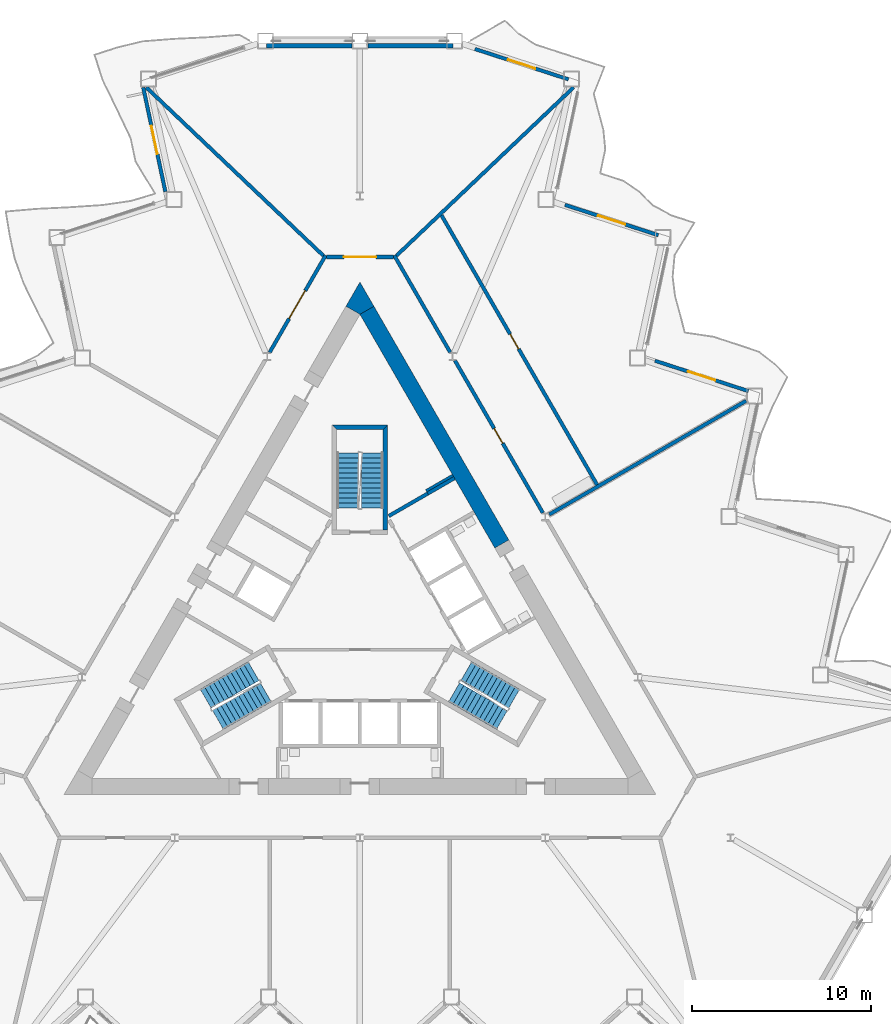
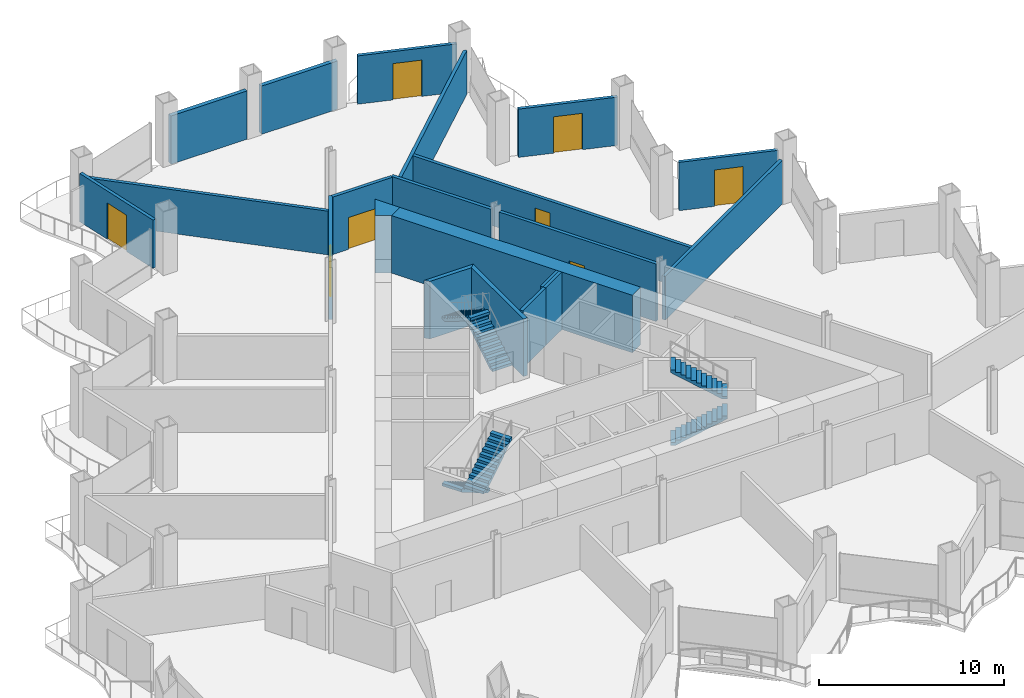
# One storey, part 13 of 21: 21 walls, 8 doors, 6 stair flights, 8 openings, 3 elements without a shape of their own.
"""IFC4 building model written with IfcOpenShell, lengths in metres."""

from ifc_helpers import new_model, si_unit, direction, frame, frame_2d, origin, place, context, subcontext, project, spatial, polyline, rectangle, outline, extrude, material, layer, layer_set, type_object, element, fill, aggregate, save


model = new_model("IFC4")

# Units and contexts
model_context = context("Model", 3, precision=1e-05, world=origin(), true_north=direction((0.0, 1.0)))
body_context = subcontext(model_context, "Body", "Model", "MODEL_VIEW")
ifc_project = project(units=[si_unit("LENGTHUNIT", "METRE"), si_unit("AREAUNIT", "SQUARE_METRE"), si_unit("VOLUMEUNIT", "CUBIC_METRE"), si_unit("PLANEANGLEUNIT", "RADIAN"), si_unit("MASSUNIT", "GRAM", prefix="KILO")], contexts=[model_context])

# Site, building, storey
site_placement = place(None, origin())
site = spatial("IfcSite", under=ifc_project, at=site_placement, CompositionType="ELEMENT")
building_placement = place(site_placement, origin())
building = spatial("IfcBuilding", under=site, at=building_placement, Name="Cormorant Prow Tower", CompositionType="ELEMENT")
storey_placement = place(building_placement, frame((0.0, 0.0, 112.199951171875)))
storey = spatial("IfcBuildingStorey", under=building, at=storey_placement, Name="L23", CompositionType="ELEMENT", Elevation=112.199951171875)

# Walls
ifc_material_1 = material(Name="Gypsum board partition")
ifc_layer_1 = layer(ifc_material_1, 0.14990234375)
ifc_layer_set_1 = layer_set([ifc_layer_1], Name="Gypsum board partition")
wall_type_1 = type_object("IfcWallType", Name="Core partition 150", PredefinedType="PARTITIONING", material=ifc_layer_set_1)
wall_1_placement = place(storey_placement, frame((3.693359375, 7.4150390625, 0.0), z_axis=(0.0, 0.0, 1.0), x_axis=(0.866024871741, 0.500000921525, 0.0)))
element("IfcWall", 1, at=wall_1_placement, inside=storey, type_object=wall_type_1, Name="Service room partition", PredefinedType="PARTITIONING", context=body_context, shape_type="SweptSolid", body=[
    extrude(rectangle(XDim=1.72021484375, YDim=0.14990234375, at=frame_2d((0.860107421875, 0.0))), origin(), (0.0, 0.0, 1.0), 3.800048828125),
])
ifc_material_2 = material(Name="Concrete 8000 psi", Category="concrete")
ifc_layer_2 = layer(ifc_material_2, 0.89990234375)
ifc_layer_set_2 = layer_set([ifc_layer_2], Name="Concrete 8000 psi")
wall_type_2 = type_object("IfcWallType", Name="Core shear wall 900", PredefinedType="SHEAR", material=ifc_layer_set_2)
wall_2_placement = place(storey_placement, frame((7.910400390625, 4.451416015625, 0.0), z_axis=(0.0, 0.0, 1.0), x_axis=(-0.500005799286, 0.866022055539, 0.0)))
element("IfcWall", 2, at=wall_2_placement, inside=storey, type_object=wall_type_2, Name="Core wall", PredefinedType="SHEAR", context=body_context, shape_type="SweptSolid", body=[
    extrude(rectangle(XDim=15.041259765625, YDim=0.89990234375, at=frame_2d((7.5205078125, 0.0))), origin(), (0.0, 0.0, 1.0), 3.800048828125),
])
wall_3_placement = place(storey_placement, origin())
element("IfcWall", 3, at=wall_3_placement, inside=storey, type_object=wall_type_2, Name="Core wall corner", PredefinedType="SHEAR", context=body_context, shape_type="SweptSolid", body=[
    extrude(outline(polyline([(-0.779296875, 17.70263671875), (0.0, 19.052490234375), (0.779296875, 17.70263671875), (0.0, 17.252685546875), (-0.779296875, 17.70263671875)])), origin(), (0.0, 0.0, 1.0), 3.800048828125),
])

# Wall, opening, door
ifc_material_3 = material(Name="Gypsum board corridor wall")
ifc_layer_3 = layer(ifc_material_3, 0.199951171875)
ifc_layer_set_3 = layer_set([ifc_layer_3], Name="Gypsum board corridor wall")
wall_type_3 = type_object("IfcWallType", Name="Corridor wall 200", PredefinedType="PARTITIONING", material=ifc_layer_set_3)
wall_4_placement = place(storey_placement, frame((5.29541015625, 14.680419921875, 0.0), z_axis=(0.0, 0.0, 1.0), x_axis=(0.500012035596, -0.866018454918, 0.0)))
wall_4 = element("IfcWall", 4, at=wall_4_placement, inside=storey, type_object=wall_type_3, Name="Corridor wall", PredefinedType="PARTITIONING", context=body_context, shape_type="SweptSolid", body=[
    extrude(rectangle(XDim=9.803466796875, YDim=0.199951171875, at=frame_2d((4.90185546875, 0.0))), origin(), (0.0, 0.0, 1.0), 3.800048828125),
])
opening_1_placement = place(wall_4_placement, frame((4.376220703125, 0.0, 0.0)))
opening_1 = element("IfcOpeningElement", 5, at=opening_1_placement, cuts=wall_4, Name="Opening L23-F06", PredefinedType="OPENING", context=body_context, shape_type="SweptSolid", body=[
    extrude(rectangle(XDim=0.949951171875, YDim=2.10009765625, at=frame_2d((0.47509765625, 1.050048828125))), frame((0.0, 0.10986328125, 0.0), z_axis=(0.0, -1.0, 0.0), x_axis=(1.0, 0.0, 0.0)), (0.0, 0.0, 1.0), 0.219970703125),
])
ifc_material_4 = material(Name="Timber door leaf", Category="wood")
door_type_1 = type_object("IfcDoorType", Name="Store door 950x2100", OperationType="NOTDEFINED", PredefinedType="DOOR", material=ifc_material_4)
door_1_placement = place(opening_1_placement, origin())
door_1 = element("IfcDoor", 6, at=door_1_placement, inside=storey, type_object=door_type_1, Name="Tea point and pantry door", OperationType="SINGLE_SWING_LEFT", OverallHeight=2.10009765625, OverallWidth=0.949951171875, PredefinedType="DOOR", context=body_context, shape_type="SweptSolid", body=[
    extrude(rectangle(XDim=0.949951171875, YDim=2.10009765625, at=frame_2d((0.47509765625, 1.050048828125))), frame((0.0, 0.02490234375, 0.0), z_axis=(0.0, -1.0, 0.0), x_axis=(1.0, 0.0, 0.0)), (0.0, 0.0, 1.0), 0.050048828125),
])
fill(opening_1, door_1)

wall_5_placement = place(storey_placement, frame((-5.032958984375, 15.13525390625, 0.0), z_axis=(0.0, 0.0, 1.0), x_axis=(0.499980978912, 0.866036385336, 0.0)))
wall_5 = element("IfcWall", 7, at=wall_5_placement, inside=storey, type_object=wall_type_3, Name="Corridor wall", PredefinedType="PARTITIONING", context=body_context, shape_type="SweptSolid", body=[
    extrude(rectangle(XDim=6.239990234375, YDim=0.199951171875, at=frame_2d((3.1201171875, 0.0))), origin(), (0.0, 0.0, 1.0), 3.800048828125),
])
opening_2_placement = place(wall_5_placement, frame((2.16943359375, 0.0, 0.0)))
opening_2 = element("IfcOpeningElement", 8, at=opening_2_placement, cuts=wall_5, Name="Opening L23-F09", PredefinedType="OPENING", context=body_context, shape_type="SweptSolid", body=[
    extrude(rectangle(XDim=1.800048828125, YDim=2.10009765625, at=frame_2d((0.89990234375, 1.050048828125))), frame((0.0, 0.10986328125, 0.0), z_axis=(0.0, -1.0, 0.0), x_axis=(1.0, 0.0, 0.0)), (0.0, 0.0, 1.0), 0.219970703125),
])
ifc_material_5 = material(Name="Timber door leaf", Category="wood")
door_type_2 = type_object("IfcDoorType", Name="Double door 1800x2100", OperationType="DOUBLE_DOOR_SINGLE_SWING", PredefinedType="DOOR", material=ifc_material_5)
door_2_placement = place(opening_2_placement, origin())
door_2 = element("IfcDoor", 9, at=door_2_placement, inside=storey, type_object=door_type_2, Name="Open-plan office door", OperationType="DOUBLE_DOOR_SINGLE_SWING", OverallHeight=2.10009765625, OverallWidth=1.800048828125, PredefinedType="DOOR", context=body_context, shape_type="SweptSolid", body=[
    extrude(rectangle(XDim=1.800048828125, YDim=2.10009765625, at=frame_2d((0.89990234375, 1.050048828125))), frame((0.0, 0.02490234375, 0.0), z_axis=(0.0, -1.0, 0.0), x_axis=(1.0, 0.0, 0.0)), (0.0, 0.0, 1.0), 0.050048828125),
])
fill(opening_2, door_2)

# Wall
wall_6_placement = place(storey_placement, frame((1.9130859375, 20.539306640625, 0.0), z_axis=(0.0, 0.0, 1.0), x_axis=(0.499980978912, -0.866036385336, 0.0)))
element("IfcWall", 10, at=wall_6_placement, inside=storey, type_object=wall_type_3, Name="Corridor wall", PredefinedType="PARTITIONING", context=body_context, shape_type="SweptSolid", body=[
    extrude(rectangle(XDim=6.239990234375, YDim=0.199951171875, at=frame_2d((3.1201171875, 0.0))), origin(), (0.0, 0.0, 1.0), 3.800048828125),
])

# Wall, opening, door
wall_7_placement = place(storey_placement, frame((-1.863037109375, 20.45263671875, 0.0), z_axis=(0.0, 0.0, 1.0), x_axis=(1.0, 0.0, 0.0)))
wall_7 = element("IfcWall", 11, at=wall_7_placement, inside=storey, type_object=wall_type_3, Name="Corridor wall", PredefinedType="PARTITIONING", context=body_context, shape_type="SweptSolid", body=[
    extrude(rectangle(XDim=3.72607421875, YDim=0.199951171875, at=frame_2d((1.863037109375, 0.0))), origin(), (0.0, 0.0, 1.0), 3.800048828125),
])
opening_3_placement = place(wall_7_placement, frame((0.962890625, 0.0, 0.0)))
opening_3 = element("IfcOpeningElement", 12, at=opening_3_placement, cuts=wall_7, Name="Opening L23-F08", PredefinedType="OPENING", context=body_context, shape_type="SweptSolid", body=[
    extrude(rectangle(XDim=1.800048828125, YDim=2.10009765625, at=frame_2d((0.89990234375, 1.050048828125))), frame((0.0, 0.10986328125, 0.0), z_axis=(0.0, -1.0, 0.0), x_axis=(1.0, 0.0, 0.0)), (0.0, 0.0, 1.0), 0.219970703125),
])
door_3_placement = place(opening_3_placement, origin())
door_3 = element("IfcDoor", 13, at=door_3_placement, inside=storey, type_object=door_type_2, Name="Open-plan office door", OperationType="DOUBLE_DOOR_SINGLE_SWING", OverallHeight=2.10009765625, OverallWidth=1.800048828125, PredefinedType="DOOR", context=body_context, shape_type="SweptSolid", body=[
    extrude(rectangle(XDim=1.800048828125, YDim=2.10009765625, at=frame_2d((0.89990234375, 1.050048828125))), frame((0.0, 0.02490234375, 0.0), z_axis=(0.0, -1.0, 0.0), x_axis=(1.0, 0.0, 0.0)), (0.0, 0.0, 1.0), 0.050048828125),
])
fill(opening_3, door_3)

ifc_material_6 = material(Name="Gypsum board demising wall")
ifc_layer_4 = layer(ifc_material_6, 0.199951171875)
ifc_layer_set_4 = layer_set([ifc_layer_4], Name="Gypsum board demising wall")
wall_type_4 = type_object("IfcWallType", Name="Demising wall 200", PredefinedType="PARTITIONING", material=ifc_layer_set_4)
wall_8_placement = place(storey_placement, frame((4.5478515625, 22.775390625, 0.0), z_axis=(0.0, 0.0, 1.0), x_axis=(0.499999764473, -0.866025539766, 0.0)))
wall_8 = element("IfcWall", 14, at=wall_8_placement, inside=storey, type_object=wall_type_4, Name="Demising wall", PredefinedType="PARTITIONING", context=body_context, shape_type="SweptSolid", body=[
    extrude(rectangle(XDim=17.35009765625, YDim=0.199951171875, at=frame_2d((8.675048828125, 0.0))), origin(), (0.0, 0.0, 1.0), 2.88525390625),
])
opening_4_placement = place(wall_8_placement, frame((7.650146484375, 0.0, 0.0)))
opening_4 = element("IfcOpeningElement", 15, at=opening_4_placement, cuts=wall_8, Name="Opening L23-F07", PredefinedType="OPENING", context=body_context, shape_type="SweptSolid", body=[
    extrude(rectangle(XDim=0.949951171875, YDim=2.10009765625, at=frame_2d((0.47509765625, 1.050048828125))), frame((0.0, 0.10986328125, 0.0), z_axis=(0.0, -1.0, 0.0), x_axis=(1.0, 0.0, 0.0)), (0.0, 0.0, 1.0), 0.219970703125),
])
door_4_placement = place(opening_4_placement, origin())
door_4 = element("IfcDoor", 16, at=door_4_placement, inside=storey, type_object=door_type_1, Name="Print and copy room door", OperationType="SINGLE_SWING_LEFT", OverallHeight=2.10009765625, OverallWidth=0.949951171875, PredefinedType="DOOR", context=body_context, shape_type="SweptSolid", body=[
    extrude(rectangle(XDim=0.949951171875, YDim=2.10009765625, at=frame_2d((0.47509765625, 1.050048828125))), frame((0.0, 0.02490234375, 0.0), z_axis=(0.0, -1.0, 0.0), x_axis=(1.0, 0.0, 0.0)), (0.0, 0.0, 1.0), 0.050048828125),
])
fill(opening_4, door_4)

# Walls
for number, where, z_axis, x_axis, name in (
    (17, (2.035400390625, 20.521484375, 0.0), (0.0, 0.0, 1.0), (0.724819524984, 0.688938789881, 0.0), "Demising wall"),
    (18, (-11.908935546875, 29.90625, 0.0), (0.0, 0.0, 1.0), (0.724819524984, -0.688938789881, 0.0), "Demising wall"),
):
    element("IfcWall", number, at=place(storey_placement, frame(where, z_axis=z_axis, x_axis=x_axis)), inside=storey, type_object=wall_type_4, Name=name, PredefinedType="PARTITIONING", context=body_context, shape_type="SweptSolid", body=[
        extrude(rectangle(XDim=13.6220703125, YDim=0.199951171875, at=frame_2d((6.81103515625, 0.0))), origin(), (0.0, 0.0, 1.0), 2.88525390625),
    ])
wall_9_placement = place(storey_placement, frame((10.555908203125, 6.094482421875, 0.0), z_axis=(0.0, 0.0, 1.0), x_axis=(0.86602461759, 0.500001361726, 0.0)))
element("IfcWall", 19, at=wall_9_placement, inside=storey, type_object=wall_type_4, Name="Demising wall", PredefinedType="PARTITIONING", context=body_context, shape_type="SweptSolid", body=[
    extrude(rectangle(XDim=12.67919921875, YDim=0.199951171875, at=frame_2d((6.339599609375, 0.0))), origin(), (0.0, 0.0, 1.0), 2.88525390625),
])
ifc_material_7 = material(Name="Concrete 8000 psi", Category="concrete")
ifc_layer_5 = layer(ifc_material_7, 0.199951171875)
ifc_layer_set_5 = layer_set([ifc_layer_5], Name="Concrete 8000 psi")
wall_type_5 = type_object("IfcWallType", Name="Lift shaft wall 200", PredefinedType="SHEAR", material=ifc_layer_set_5)
wall_10_placement = place(storey_placement, origin())
element("IfcWall", 20, at=wall_10_placement, inside=storey, type_object=wall_type_5, Name="Lift shaft walls, ENE block", PredefinedType="SHEAR", context=body_context, shape_type="SweptSolid", body=[
    extrude(outline(polyline([(1.560546875, 6.09716796875), (3.730712890625, 7.35009765625), (3.830810546875, 7.177001953125), (1.660400390625, 5.923828125), (1.560546875, 6.09716796875)])), origin(), (0.0, 0.0, 1.0), 3.800048828125),
])
wall_11_placement = place(storey_placement, frame((3.78076171875, 7.263427734375, 0.0), z_axis=(0.0, 0.0, 1.0), x_axis=(0.865963414263, 0.500107353632, 0.0)))
element("IfcWall", 21, at=wall_11_placement, inside=storey, type_object=wall_type_5, Name="Store side wall", PredefinedType="SHEAR", context=body_context, shape_type="SweptSolid", body=[
    extrude(rectangle(XDim=1.72021484375, YDim=0.199951171875, at=frame_2d((0.860107421875, 0.0))), origin(), (0.0, 0.0, 1.0), 3.800048828125),
])
ifc_material_8 = material(Name="Concrete 8000 psi", Category="concrete")
ifc_layer_6 = layer(ifc_material_8, 0.25)
ifc_layer_set_6 = layer_set([ifc_layer_6], Name="Concrete 8000 psi")
wall_type_6 = type_object("IfcWallType", Name="Stair wall 250", PredefinedType="SHEAR", material=ifc_layer_set_6)
wall_12_placement = place(storey_placement, origin())
element("IfcWall", 22, at=wall_12_placement, inside=storey, type_object=wall_type_6, Name="Stair ST3 enclosure wall (flank)", PredefinedType="SHEAR", context=body_context, shape_type="SweptSolid", body=[
    extrude(outline(polyline([(1.5439453125, 5.23681640625), (1.5439453125, 11.0869140625), (1.2939453125, 10.8369140625), (1.2939453125, 5.23681640625), (1.5439453125, 5.23681640625)])), origin(), (0.0, 0.0, 1.0), 3.800048828125),
])
wall_13_placement = place(storey_placement, origin())
element("IfcWall", 23, at=wall_13_placement, inside=storey, type_object=wall_type_6, Name="Stair ST3 enclosure wall (end)", PredefinedType="SHEAR", context=body_context, shape_type="SweptSolid", body=[
    extrude(outline(polyline([(1.5439453125, 11.0869140625), (-1.5439453125, 11.0869140625), (-1.2939453125, 10.8369140625), (1.2939453125, 10.8369140625), (1.5439453125, 11.0869140625)])), origin(), (0.0, 0.0, 1.0), 3.800048828125),
])
ifc_material_9 = material(Name="Terracotta", Category="masonry")
ifc_layer_7 = layer(ifc_material_9, 0.25)
ifc_layer_set_7 = layer_set([ifc_layer_7], Name="Terracotta")
wall_type_7 = type_object("IfcWallType", Name="Terracotta bay wall 250", PredefinedType="SOLIDWALL", material=ifc_layer_set_7)
for number, where, z_axis, x_axis, name in (
    (24, (5.20068359375, 32.216552734375, 0.0), (0.0, 0.0, 1.0), (-1.0, 0.0, 0.0), "Terracotta bay wall N00"),
    (25, (-0.449951171875, 32.216552734375, 0.0), (0.0, 0.0, 1.0), (-1.0, 0.0, 0.0), "Terracotta bay wall N01"),
):
    element("IfcWall", number, at=place(storey_placement, frame(where, z_axis=z_axis, x_axis=x_axis)), inside=storey, type_object=wall_type_7, Name=name, PredefinedType="SOLIDWALL", context=body_context, shape_type="SweptSolid", body=[
        extrude(rectangle(XDim=4.750732421875, YDim=0.25, at=frame_2d((2.37548828125, 0.0))), origin(), (0.0, 0.0, 1.0), 3.18896484375),
    ])

# Wall, opening, door
ifc_material_10 = material(Name="Terracotta", Category="masonry")
ifc_layer_8 = layer(ifc_material_10, 0.199951171875)
ifc_layer_set_8 = layer_set([ifc_layer_8], Name="Terracotta")
wall_type_8 = type_object("IfcWallType", Name="Terracotta jamb wall 200", PredefinedType="SOLIDWALL", material=ifc_layer_set_8)
wall_14_placement = place(storey_placement, frame((21.658935546875, 12.973388671875, 0.0), z_axis=(0.0, 0.0, 1.0), x_axis=(-0.951065819309, 0.308988361175, 0.0)))
wall_14 = element("IfcWall", 26, at=wall_14_placement, inside=storey, type_object=wall_type_8, Name="Terracotta jamb wall ENE05", PredefinedType="SOLIDWALL", context=body_context, shape_type="SweptSolid", body=[
    extrude(rectangle(XDim=5.480224609375, YDim=0.199951171875, at=frame_2d((2.740234375, 0.0))), origin(), (0.0, 0.0, 1.0), 3.18896484375),
])
opening_5_placement = place(wall_14_placement, frame((1.940185546875, 0.0, 0.0)))
opening_5 = element("IfcOpeningElement", 27, at=opening_5_placement, cuts=wall_14, Name="Opening ED23.08", PredefinedType="OPENING", context=body_context, shape_type="SweptSolid", body=[
    extrude(rectangle(XDim=1.60009765625, YDim=2.39990234375, at=frame_2d((0.800048828125, 1.199951171875))), frame((0.0, 0.10986328125, 0.0), z_axis=(0.0, -1.0, 0.0), x_axis=(1.0, 0.0, 0.0)), (0.0, 0.0, 1.0), 0.219970703125),
])
ifc_material_11 = material(Name="Aluminium 6063-T6", Category="aluminium")
door_type_3 = type_object("IfcDoorType", Name="Balcony door 1600x2400", OperationType="DOUBLE_DOOR_SINGLE_SWING", PredefinedType="DOOR", material=ifc_material_11)
door_5_placement = place(opening_5_placement, origin())
door_5 = element("IfcDoor", 28, at=door_5_placement, inside=storey, type_object=door_type_3, Name="Balcony door ENE05 ED23.08", OperationType="DOUBLE_DOOR_SINGLE_SWING", OverallHeight=2.39990234375, OverallWidth=1.60009765625, PredefinedType="DOOR", context=body_context, shape_type="SweptSolid", body=[
    extrude(rectangle(XDim=1.60009765625, YDim=2.39990234375, at=frame_2d((0.800048828125, 1.199951171875))), frame((0.0, 0.02490234375, 0.0), z_axis=(0.0, -1.0, 0.0), x_axis=(1.0, 0.0, 0.0)), (0.0, 0.0, 1.0), 0.050048828125),
])
fill(opening_5, door_5)

wall_15_placement = place(storey_placement, frame((16.640869140625, 21.664794921875, 0.0), z_axis=(0.0, 0.0, 1.0), x_axis=(-0.951052727247, 0.309028655624, 0.0)))
wall_15 = element("IfcWall", 29, at=wall_15_placement, inside=storey, type_object=wall_type_8, Name="Terracotta jamb wall ENE07", PredefinedType="SOLIDWALL", context=body_context, shape_type="SweptSolid", body=[
    extrude(rectangle(XDim=5.48046875, YDim=0.199951171875, at=frame_2d((2.740234375, 0.0))), origin(), (0.0, 0.0, 1.0), 3.18896484375),
])
opening_6_placement = place(wall_15_placement, frame((1.940185546875, 0.0, 0.0)))
opening_6 = element("IfcOpeningElement", 30, at=opening_6_placement, cuts=wall_15, Name="Opening ED23.09", PredefinedType="OPENING", context=body_context, shape_type="SweptSolid", body=[
    extrude(rectangle(XDim=1.60009765625, YDim=2.39990234375, at=frame_2d((0.800048828125, 1.199951171875))), frame((0.0, 0.10986328125, 0.0), z_axis=(0.0, -1.0, 0.0), x_axis=(1.0, 0.0, 0.0)), (0.0, 0.0, 1.0), 0.219970703125),
])
door_6_placement = place(opening_6_placement, origin())
door_6 = element("IfcDoor", 31, at=door_6_placement, inside=storey, type_object=door_type_3, Name="Balcony door ENE07 ED23.09", OperationType="DOUBLE_DOOR_SINGLE_SWING", OverallHeight=2.39990234375, OverallWidth=1.60009765625, PredefinedType="DOOR", context=body_context, shape_type="SweptSolid", body=[
    extrude(rectangle(XDim=1.60009765625, YDim=2.39990234375, at=frame_2d((0.800048828125, 1.199951171875))), frame((0.0, 0.02490234375, 0.0), z_axis=(0.0, -1.0, 0.0), x_axis=(1.0, 0.0, 0.0)), (0.0, 0.0, 1.0), 0.050048828125),
])
fill(opening_6, door_6)

wall_16_placement = place(storey_placement, frame((11.622802734375, 30.356201171875, 0.0), z_axis=(0.0, 0.0, 1.0), x_axis=(-0.951052727247, 0.309028655624, 0.0)))
wall_16 = element("IfcWall", 32, at=wall_16_placement, inside=storey, type_object=wall_type_8, Name="Terracotta jamb wall ENE09", PredefinedType="SOLIDWALL", context=body_context, shape_type="SweptSolid", body=[
    extrude(rectangle(XDim=5.48046875, YDim=0.199951171875, at=frame_2d((2.740234375, 0.0))), origin(), (0.0, 0.0, 1.0), 3.18896484375),
])
opening_7_placement = place(wall_16_placement, frame((1.940185546875, 0.0, 0.0)))
opening_7 = element("IfcOpeningElement", 33, at=opening_7_placement, cuts=wall_16, Name="Opening ED23.10", PredefinedType="OPENING", context=body_context, shape_type="SweptSolid", body=[
    extrude(rectangle(XDim=1.60009765625, YDim=2.39990234375, at=frame_2d((0.800048828125, 1.199951171875))), frame((0.0, 0.10986328125, 0.0), z_axis=(0.0, -1.0, 0.0), x_axis=(1.0, 0.0, 0.0)), (0.0, 0.0, 1.0), 0.219970703125),
])
door_7_placement = place(opening_7_placement, origin())
door_7 = element("IfcDoor", 34, at=door_7_placement, inside=storey, type_object=door_type_3, Name="Balcony door ENE09 ED23.10", OperationType="DOUBLE_DOOR_SINGLE_SWING", OverallHeight=2.39990234375, OverallWidth=1.60009765625, PredefinedType="DOOR", context=body_context, shape_type="SweptSolid", body=[
    extrude(rectangle(XDim=1.60009765625, YDim=2.39990234375, at=frame_2d((0.800048828125, 1.199951171875))), frame((0.0, 0.02490234375, 0.0), z_axis=(0.0, -1.0, 0.0), x_axis=(1.0, 0.0, 0.0)), (0.0, 0.0, 1.0), 0.050048828125),
])
fill(opening_7, door_7)

wall_17_placement = place(storey_placement, frame((-12.080810546875, 29.899658203125, 0.0), z_axis=(0.0, 0.0, 1.0), x_axis=(0.207890739357, -0.97815205387, 0.0)))
wall_17 = element("IfcWall", 35, at=wall_17_placement, inside=storey, type_object=wall_type_8, Name="Terracotta jamb wall WNW01", PredefinedType="SOLIDWALL", context=body_context, shape_type="SweptSolid", body=[
    extrude(rectangle(XDim=5.93408203125, YDim=0.199951171875, at=frame_2d((2.967041015625, 0.0))), origin(), (0.0, 0.0, 1.0), 3.18896484375),
])
opening_8_placement = place(wall_17_placement, frame((2.19189453125, 0.0, 0.0)))
opening_8 = element("IfcOpeningElement", 36, at=opening_8_placement, cuts=wall_17, Name="Opening ED23.11", PredefinedType="OPENING", context=body_context, shape_type="SweptSolid", body=[
    extrude(rectangle(XDim=1.60009765625, YDim=2.39990234375, at=frame_2d((0.800048828125, 1.199951171875))), frame((0.0, 0.10986328125, 0.0), z_axis=(0.0, -1.0, 0.0), x_axis=(1.0, 0.0, 0.0)), (0.0, 0.0, 1.0), 0.219970703125),
])
door_8_placement = place(opening_8_placement, origin())
door_8 = element("IfcDoor", 37, at=door_8_placement, inside=storey, type_object=door_type_3, Name="Balcony door WNW01 ED23.11", OperationType="DOUBLE_DOOR_SINGLE_SWING", OverallHeight=2.39990234375, OverallWidth=1.60009765625, PredefinedType="DOOR", context=body_context, shape_type="SweptSolid", body=[
    extrude(rectangle(XDim=1.60009765625, YDim=2.39990234375, at=frame_2d((0.800048828125, 1.199951171875))), frame((0.0, 0.02490234375, 0.0), z_axis=(0.0, -1.0, 0.0), x_axis=(1.0, 0.0, 0.0)), (0.0, 0.0, 1.0), 0.050048828125),
])
fill(opening_8, door_8)

# Stair, stair flights
ifc_material_12 = material(Name="Exit stair 24 risers")
stair_type = type_object("IfcStairType", Name="Exit stair 24 risers", PredefinedType="HALF_TURN_STAIR", material=ifc_material_12)
stair_1_placement = place(storey_placement, origin())
stair_1 = element("IfcStair", 38, at=stair_1_placement, inside=storey, type_object=stair_type, Name="L23 Exit stair ST1", PredefinedType="HALF_TURN_STAIR")
ifc_material_13 = material(Name="Concrete 5000 psi", Category="concrete")
stair_flight_type = type_object("IfcStairFlightType", Name="Stair flight 1219", PredefinedType="STRAIGHT", material=ifc_material_13)
stair_flight_1_placement = place(storey_placement, frame((-5.93310546875, -2.635009765625, 0.0), z_axis=(0.0, 0.0, 1.0), x_axis=(-0.866025403784, -0.5, 0.0)))
stair_flight_1 = element("IfcStairFlight", 39, at=stair_flight_1_placement, type_object=stair_flight_type, Name="ST1 flight 1", NumberOfRisers=12, NumberOfTreads=11, PredefinedType="STRAIGHT", RiserHeight=0.175, TreadLength=0.28, context=body_context, shape_type="SweptSolid", body=[
    extrude(outline(polyline([(0.0, 0.0), (0.0, 0.175048828125), (0.280029296875, 0.175048828125), (0.280029296875, 0.35009765625), (0.56005859375, 0.35009765625), (0.56005859375, 0.52490234375), (0.840087890625, 0.52490234375), (0.840087890625, 0.699951171875), (1.1201171875, 0.699951171875), (1.1201171875, 0.875), (1.39990234375, 0.875), (1.39990234375, 1.050048828125), (1.679931640625, 1.050048828125), (1.679931640625, 1.22509765625), (1.9599609375, 1.22509765625), (1.9599609375, 1.39990234375), (2.239990234375, 1.39990234375), (2.239990234375, 1.574951171875), (2.52001953125, 1.574951171875), (2.52001953125, 1.75), (2.800048828125, 1.75), (2.800048828125, 1.925048828125), (3.080078125, 1.925048828125), (3.080078125, 2.10009765625), (3.080078125, 1.748291015625), (0.28271484375, 0.0), (0.0, 0.0)])), frame((0.0, 0.609375, 0.0), z_axis=(0.0, -1.0, 0.0), x_axis=(1.0, 0.0, 0.0)), (0.0, 0.0, 1.0), 1.218994140625),
])
stair_flight_2_placement = place(storey_placement, frame((-7.916015625, -5.360595703125, 2.10009765625), z_axis=(0.0, 0.0, 1.0), x_axis=(0.866025403784, 0.5, 0.0)))
stair_flight_2 = element("IfcStairFlight", 40, at=stair_flight_2_placement, type_object=stair_flight_type, Name="ST1 flight 2", NumberOfRisers=12, NumberOfTreads=11, PredefinedType="STRAIGHT", RiserHeight=0.175, TreadLength=0.28, context=body_context, shape_type="SweptSolid", body=[
    extrude(outline(polyline([(0.0, 0.0), (0.0, 0.175048828125), (0.280029296875, 0.175048828125), (0.280029296875, 0.35009765625), (0.56005859375, 0.35009765625), (0.56005859375, 0.52490234375), (0.840087890625, 0.52490234375), (0.840087890625, 0.699951171875), (1.1201171875, 0.699951171875), (1.1201171875, 0.875), (1.39990234375, 0.875), (1.39990234375, 1.050048828125), (1.679931640625, 1.050048828125), (1.679931640625, 1.22509765625), (1.9599609375, 1.22509765625), (1.9599609375, 1.39990234375), (2.239990234375, 1.39990234375), (2.239990234375, 1.574951171875), (2.52001953125, 1.574951171875), (2.52001953125, 1.75), (2.800048828125, 1.75), (2.800048828125, 1.925048828125), (3.080078125, 1.925048828125), (3.080078125, 2.10009765625), (3.080078125, 1.748291015625), (0.28271484375, 0.0), (0.0, 0.0)])), frame((0.0, 0.609375, 0.0), z_axis=(0.0, -1.0, 0.0), x_axis=(1.0, 0.0, 0.0)), (0.0, 0.0, 1.0), 1.218994140625),
])
aggregate(stair_1, [stair_flight_1, stair_flight_2])

stair_2_placement = place(storey_placement, origin())
stair_2 = element("IfcStair", 41, at=stair_2_placement, inside=storey, type_object=stair_type, Name="L23 Exit stair ST2", PredefinedType="HALF_TURN_STAIR")
stair_flight_3_placement = place(storey_placement, frame((5.24853515625, -3.82080078125, 0.0), z_axis=(0.0, 0.0, 1.0), x_axis=(0.866025403784, -0.5, 0.0)))
stair_flight_3 = element("IfcStairFlight", 42, at=stair_flight_3_placement, type_object=stair_flight_type, Name="ST2 flight 1", NumberOfRisers=12, NumberOfTreads=11, PredefinedType="STRAIGHT", RiserHeight=0.175, TreadLength=0.28, context=body_context, shape_type="SweptSolid", body=[
    extrude(outline(polyline([(0.0, 0.0), (0.0, 0.175048828125), (0.280029296875, 0.175048828125), (0.280029296875, 0.35009765625), (0.56005859375, 0.35009765625), (0.56005859375, 0.52490234375), (0.840087890625, 0.52490234375), (0.840087890625, 0.699951171875), (1.1201171875, 0.699951171875), (1.1201171875, 0.875), (1.39990234375, 0.875), (1.39990234375, 1.050048828125), (1.679931640625, 1.050048828125), (1.679931640625, 1.22509765625), (1.9599609375, 1.22509765625), (1.9599609375, 1.39990234375), (2.239990234375, 1.39990234375), (2.239990234375, 1.574951171875), (2.52001953125, 1.574951171875), (2.52001953125, 1.75), (2.800048828125, 1.75), (2.800048828125, 1.925048828125), (3.080078125, 1.925048828125), (3.080078125, 2.10009765625), (3.080078125, 1.748291015625), (0.28271484375, 0.0), (0.0, 0.0)])), frame((0.0, 0.609375, 0.0), z_axis=(0.0, -1.0, 0.0), x_axis=(1.0, 0.0, 0.0)), (0.0, 0.0, 1.0), 1.218994140625),
])
stair_flight_4_placement = place(storey_placement, frame((8.6005859375, -4.175048828125, 2.10009765625), z_axis=(0.0, 0.0, 1.0), x_axis=(-0.866025403784, 0.5, 0.0)))
stair_flight_4 = element("IfcStairFlight", 43, at=stair_flight_4_placement, type_object=stair_flight_type, Name="ST2 flight 2", NumberOfRisers=12, NumberOfTreads=11, PredefinedType="STRAIGHT", RiserHeight=0.175, TreadLength=0.28, context=body_context, shape_type="SweptSolid", body=[
    extrude(outline(polyline([(0.0, 0.0), (0.0, 0.175048828125), (0.280029296875, 0.175048828125), (0.280029296875, 0.35009765625), (0.56005859375, 0.35009765625), (0.56005859375, 0.52490234375), (0.840087890625, 0.52490234375), (0.840087890625, 0.699951171875), (1.1201171875, 0.699951171875), (1.1201171875, 0.875), (1.39990234375, 0.875), (1.39990234375, 1.050048828125), (1.679931640625, 1.050048828125), (1.679931640625, 1.22509765625), (1.9599609375, 1.22509765625), (1.9599609375, 1.39990234375), (2.239990234375, 1.39990234375), (2.239990234375, 1.574951171875), (2.52001953125, 1.574951171875), (2.52001953125, 1.75), (2.800048828125, 1.75), (2.800048828125, 1.925048828125), (3.080078125, 1.925048828125), (3.080078125, 2.10009765625), (3.080078125, 1.748291015625), (0.28271484375, 0.0), (0.0, 0.0)])), frame((0.0, 0.609375, 0.0), z_axis=(0.0, -1.0, 0.0), x_axis=(1.0, 0.0, 0.0)), (0.0, 0.0, 1.0), 1.218994140625),
])
aggregate(stair_2, [stair_flight_3, stair_flight_4])

stair_3_placement = place(storey_placement, origin())
stair_3 = element("IfcStair", 44, at=stair_3_placement, inside=storey, type_object=stair_type, Name="L23 Exit stair ST3", PredefinedType="HALF_TURN_STAIR")
stair_flight_5_placement = place(storey_placement, frame((0.6845703125, 6.455810546875, 0.0), z_axis=(0.0, 0.0, 1.0), x_axis=(0.0, 1.0, 0.0)))
stair_flight_5 = element("IfcStairFlight", 45, at=stair_flight_5_placement, type_object=stair_flight_type, Name="ST3 flight 1", NumberOfRisers=12, NumberOfTreads=11, PredefinedType="STRAIGHT", RiserHeight=0.175, TreadLength=0.28, context=body_context, shape_type="SweptSolid", body=[
    extrude(outline(polyline([(0.0, 0.0), (0.0, 0.175048828125), (0.280029296875, 0.175048828125), (0.280029296875, 0.35009765625), (0.56005859375, 0.35009765625), (0.56005859375, 0.52490234375), (0.840087890625, 0.52490234375), (0.840087890625, 0.699951171875), (1.1201171875, 0.699951171875), (1.1201171875, 0.875), (1.39990234375, 0.875), (1.39990234375, 1.050048828125), (1.679931640625, 1.050048828125), (1.679931640625, 1.22509765625), (1.9599609375, 1.22509765625), (1.9599609375, 1.39990234375), (2.239990234375, 1.39990234375), (2.239990234375, 1.574951171875), (2.52001953125, 1.574951171875), (2.52001953125, 1.75), (2.800048828125, 1.75), (2.800048828125, 1.925048828125), (3.080078125, 1.925048828125), (3.080078125, 2.10009765625), (3.080078125, 1.748291015625), (0.28271484375, 0.0), (0.0, 0.0)])), frame((0.0, 0.609375, 0.0), z_axis=(0.0, -1.0, 0.0), x_axis=(1.0, 0.0, 0.0)), (0.0, 0.0, 1.0), 1.218994140625),
])
stair_flight_6_placement = place(storey_placement, frame((-0.6845703125, 9.535888671875, 2.10009765625), z_axis=(0.0, 0.0, 1.0), x_axis=(0.0, -1.0, 0.0)))
stair_flight_6 = element("IfcStairFlight", 46, at=stair_flight_6_placement, type_object=stair_flight_type, Name="ST3 flight 2", NumberOfRisers=12, NumberOfTreads=11, PredefinedType="STRAIGHT", RiserHeight=0.175, TreadLength=0.28, context=body_context, shape_type="SweptSolid", body=[
    extrude(outline(polyline([(0.0, 0.0), (0.0, 0.175048828125), (0.280029296875, 0.175048828125), (0.280029296875, 0.35009765625), (0.56005859375, 0.35009765625), (0.56005859375, 0.52490234375), (0.840087890625, 0.52490234375), (0.840087890625, 0.699951171875), (1.1201171875, 0.699951171875), (1.1201171875, 0.875), (1.39990234375, 0.875), (1.39990234375, 1.050048828125), (1.679931640625, 1.050048828125), (1.679931640625, 1.22509765625), (1.9599609375, 1.22509765625), (1.9599609375, 1.39990234375), (2.239990234375, 1.39990234375), (2.239990234375, 1.574951171875), (2.52001953125, 1.574951171875), (2.52001953125, 1.75), (2.800048828125, 1.75), (2.800048828125, 1.925048828125), (3.080078125, 1.925048828125), (3.080078125, 2.10009765625), (3.080078125, 1.748291015625), (0.28271484375, 0.0), (0.0, 0.0)])), frame((0.0, 0.609375, 0.0), z_axis=(0.0, -1.0, 0.0), x_axis=(1.0, 0.0, 0.0)), (0.0, 0.0, 1.0), 1.218994140625),
])
aggregate(stair_3, [stair_flight_5, stair_flight_6])

save(model, "model.ifc")
